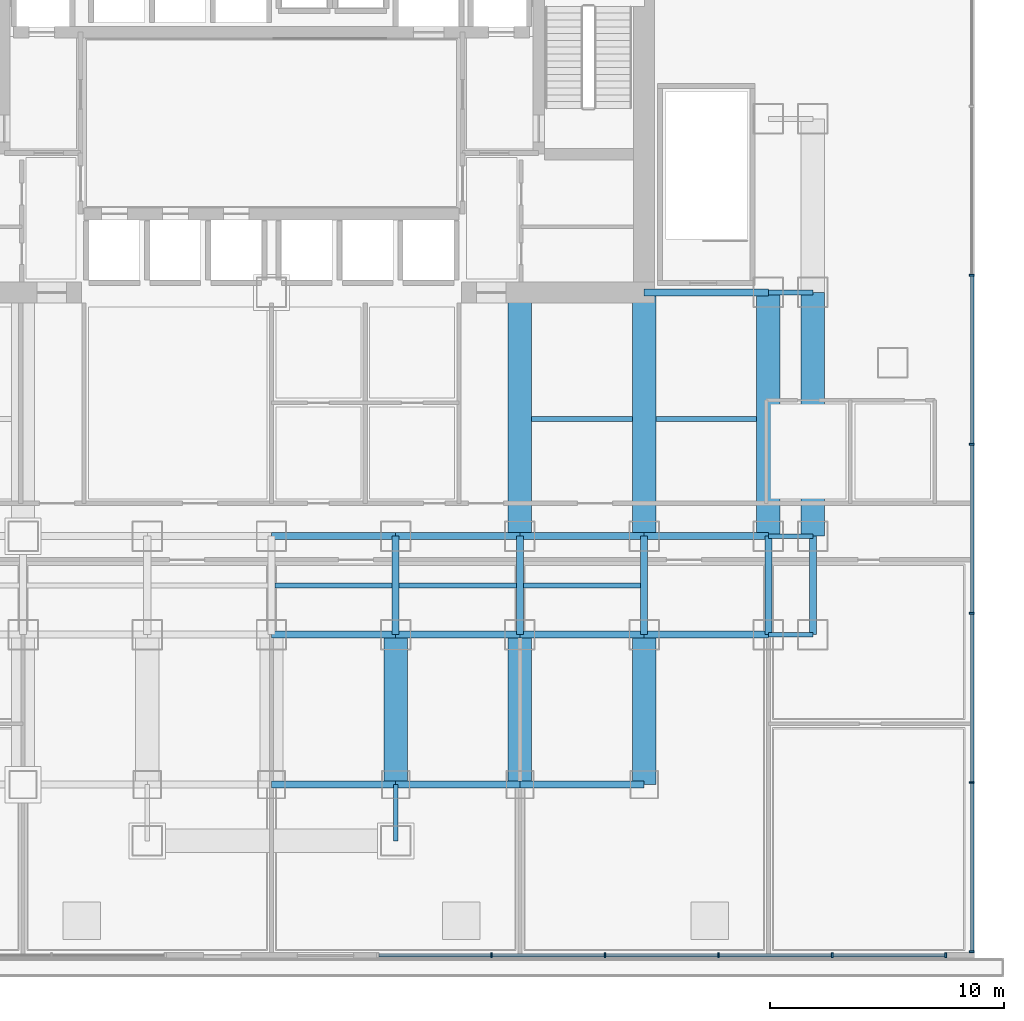
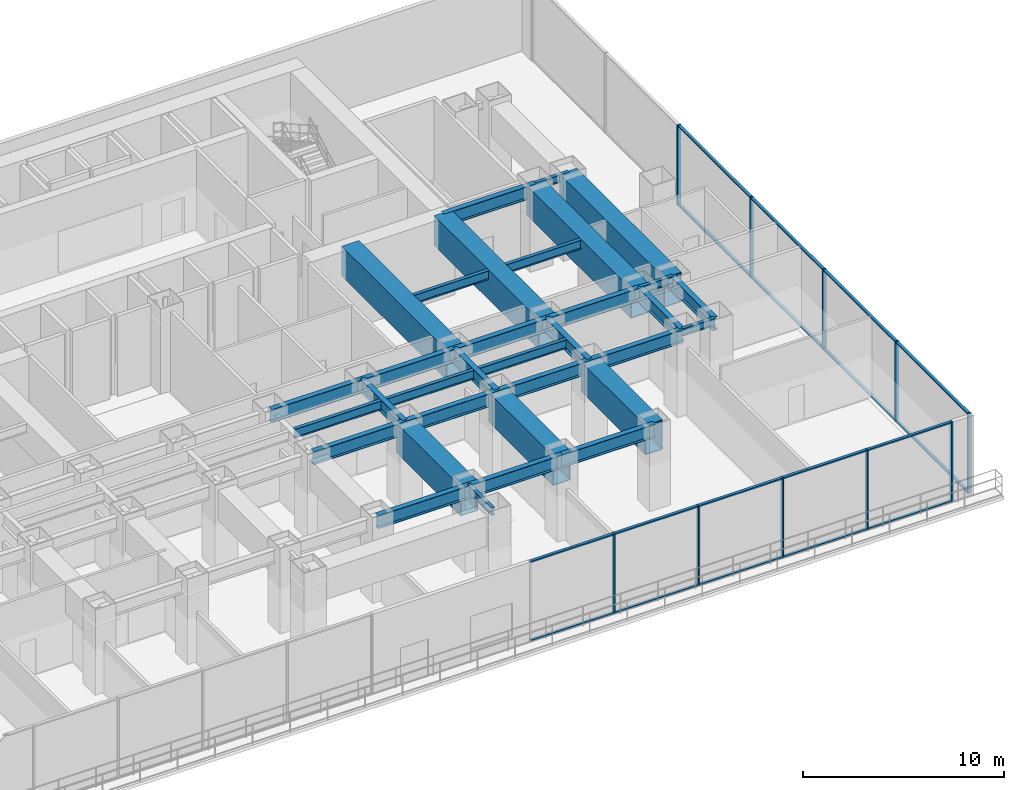
# One storey, part 4 of 12: 33 beams, 28 members, 2 elements without a shape of their own.
"""IFC4 building model written with IfcOpenShell, lengths in metres."""

from ifc_helpers import new_model, si_unit, direction, frame, origin, origin_2d, place, context, subcontext, project, spatial, rectangle, hollow_rectangle, i_section, extrude, source, transform, mapped, material, layer, layer_set, material_profile, profile_set, type_object, element, aggregate, save


model = new_model("IFC4")

# Units and contexts
model_context = context("Model", 3, precision=1e-05, world=origin(), true_north=direction((0.0, 1.0)))
body_context = subcontext(model_context, "Body", "Model", "MODEL_VIEW")
ifc_project = project(units=[si_unit("LENGTHUNIT", "METRE"), si_unit("AREAUNIT", "SQUARE_METRE"), si_unit("VOLUMEUNIT", "CUBIC_METRE"), si_unit("PLANEANGLEUNIT", "RADIAN"), si_unit("MASSUNIT", "GRAM", prefix="KILO")], contexts=[model_context])

# Site, building, storey
site_placement = place(None, origin())
site = spatial("IfcSite", under=ifc_project, at=site_placement, CompositionType="ELEMENT")
building_placement = place(site_placement, origin())
building = spatial("IfcBuilding", under=site, at=building_placement, Name="Qianlan Lanfeng Residences", CompositionType="ELEMENT")
storey_placement = place(building_placement, frame((0.0, 0.0, 19.0)))
storey = spatial("IfcBuildingStorey", under=building, at=storey_placement, Name="L04", CompositionType="ELEMENT", Elevation=19.0)

# Beams
ifc_material_1 = material(Name="Steel SN490B", Category="steel")
ifc_material_profile_1 = material_profile(ifc_material_1, i_section(OverallWidth=0.300048828125, OverallDepth=0.800048828125, WebThickness=0.01611328125, FlangeThickness=0.028076171875, at=origin_2d()), Name="H 800x300x16x28")
ifc_profile_set_1 = profile_set([ifc_material_profile_1], Name="Steel SN490B")
beam_type_1 = type_object("IfcBeamType", Name="G-950", PredefinedType="BEAM", material=ifc_profile_set_1)
for number, where, z_axis, x_axis, name in (
    (1, (26.5, 10.60009765625, 4.4599609375), (1.0, 0.0, 0.0), (0.0, 1.0, 0.0), "Structural beam G-950"),
    (2, (31.800048828125, 10.60009765625, 4.4599609375), (1.0, 0.0, 0.0), (0.0, 1.0, 0.0), "Structural beam G-950"),
):
    element("IfcBeam", number, at=place(storey_placement, frame(where, z_axis=z_axis, x_axis=x_axis)), inside=storey, type_object=beam_type_1, Name=name, PredefinedType="BEAM", context=body_context, shape_type="SweptSolid", body=[
        extrude(i_section(OverallWidth=0.300048828125, OverallDepth=0.800048828125, WebThickness=0.01611328125, FlangeThickness=0.028076171875, at=origin_2d()), origin(), (0.0, 0.0, 1.0), 5.300048828125),
    ])
beam_1_placement = place(storey_placement, frame((37.10009765625, 10.60009765625, 4.4599609375), z_axis=(1.0, 0.0, 0.0), x_axis=(0.0, 1.0, 0.0)))
element("IfcBeam", 3, at=beam_1_placement, inside=storey, type_object=beam_type_1, Name="Structural beam G-950", PredefinedType="BEAM", context=body_context, shape_type="SweptSolid", body=[
    extrude(i_section(OverallWidth=0.300048828125, OverallDepth=0.800048828125, WebThickness=0.01611328125, FlangeThickness=0.028076171875, at=origin_2d()), origin(), (0.0, 0.0, 1.0), 5.2998046875),
])
for number, where, z_axis, x_axis, name in (
    (4, (42.39990234375, 10.60009765625, 4.4599609375), (1.0, 0.0, 0.0), (0.0, 1.0, 0.0), "Structural beam G-950"),
    (5, (26.5, 14.800048828125, 4.4599609375), (1.0, 0.0, 0.0), (0.0, 1.0, 0.0), "Structural beam G-950"),
    (6, (31.800048828125, 14.800048828125, 4.4599609375), (1.0, 0.0, 0.0), (0.0, 1.0, 0.0), "Structural beam G-950"),
):
    element("IfcBeam", number, at=place(storey_placement, frame(where, z_axis=z_axis, x_axis=x_axis)), inside=storey, type_object=beam_type_1, Name=name, PredefinedType="BEAM", context=body_context, shape_type="SweptSolid", body=[
        extrude(i_section(OverallWidth=0.300048828125, OverallDepth=0.800048828125, WebThickness=0.01611328125, FlangeThickness=0.028076171875, at=origin_2d()), origin(), (0.0, 0.0, 1.0), 5.300048828125),
    ])
beam_2_placement = place(storey_placement, frame((37.10009765625, 14.800048828125, 4.4599609375), z_axis=(1.0, 0.0, 0.0), x_axis=(0.0, 1.0, 0.0)))
element("IfcBeam", 7, at=beam_2_placement, inside=storey, type_object=beam_type_1, Name="Structural beam G-950", PredefinedType="BEAM", context=body_context, shape_type="SweptSolid", body=[
    extrude(i_section(OverallWidth=0.300048828125, OverallDepth=0.800048828125, WebThickness=0.01611328125, FlangeThickness=0.028076171875, at=origin_2d()), origin(), (0.0, 0.0, 1.0), 5.2998046875),
])
for number, where, z_axis, x_axis, name in (
    (8, (42.39990234375, 14.800048828125, 4.4599609375), (1.0, 0.0, 0.0), (0.0, 1.0, 0.0), "Structural beam G-950"),
    (9, (42.39990234375, 25.199951171875, 4.4599609375), (1.0, 0.0, 0.0), (0.0, 1.0, 0.0), "Structural beam G-950"),
):
    element("IfcBeam", number, at=place(storey_placement, frame(where, z_axis=z_axis, x_axis=x_axis)), inside=storey, type_object=beam_type_1, Name=name, PredefinedType="BEAM", context=body_context, shape_type="SweptSolid", body=[
        extrude(i_section(OverallWidth=0.300048828125, OverallDepth=0.800048828125, WebThickness=0.01611328125, FlangeThickness=0.028076171875, at=origin_2d()), origin(), (0.0, 0.0, 1.0), 5.300048828125),
    ])
for number, where, z_axis, x_axis, name in (
    (10, (31.800048828125, 10.60009765625, 4.4599609375), (0.0, 1.0, 0.0), (-1.0, 0.0, 0.0), "Structural beam G-950"),
    (11, (37.10009765625, 10.60009765625, 4.4599609375), (0.0, 1.0, 0.0), (-1.0, 0.0, 0.0), "Structural beam G-950"),
    (12, (42.39990234375, 10.60009765625, 4.4599609375), (0.0, 1.0, 0.0), (-1.0, 0.0, 0.0), "Structural beam G-950"),
    (13, (47.699951171875, 10.60009765625, 4.4599609375), (0.0, 1.0, 0.0), (-1.0, 0.0, 0.0), "Structural beam G-950"),
    (14, (49.60009765625, 10.60009765625, 4.4599609375), (0.0, 1.0, 0.0), (-1.0, 0.0, 0.0), "Structural beam G-950"),
):
    element("IfcBeam", number, at=place(storey_placement, frame(where, z_axis=z_axis, x_axis=x_axis)), inside=storey, type_object=beam_type_1, Name=name, PredefinedType="BEAM", context=body_context, shape_type="SweptSolid", body=[
        extrude(i_section(OverallWidth=0.300048828125, OverallDepth=0.800048828125, WebThickness=0.01611328125, FlangeThickness=0.028076171875, at=origin_2d()), origin(), (0.0, 0.0, 1.0), 4.199951171875),
    ])
ifc_material_profile_2 = material_profile(ifc_material_1, i_section(OverallWidth=0.199951171875, OverallDepth=0.449951171875, WebThickness=0.009033203125, FlangeThickness=0.013916015625, at=origin_2d()), Name="H 450x200x9x14")
ifc_profile_set_2 = profile_set([ifc_material_profile_2], Name="Steel SN490B")
beam_type_2 = type_object("IfcBeamType", Name="J-450", PredefinedType="JOIST", material=ifc_profile_set_2)
for number, where, z_axis, x_axis, name in (
    (15, (47.699951171875, 10.60009765625, 4.635009765625), (1.0, 0.0, 0.0), (0.0, 1.0, 0.0), "Structural beam J-450"),
    (16, (47.699951171875, 14.800048828125, 4.635009765625), (1.0, 0.0, 0.0), (0.0, 1.0, 0.0), "Structural beam J-450"),
    (17, (47.699951171875, 25.199951171875, 4.635009765625), (1.0, 0.0, 0.0), (0.0, 1.0, 0.0), "Structural beam J-450"),
):
    element("IfcBeam", number, at=place(storey_placement, frame(where, z_axis=z_axis, x_axis=x_axis)), inside=storey, type_object=beam_type_2, Name=name, PredefinedType="JOIST", context=body_context, shape_type="SweptSolid", body=[
        extrude(i_section(OverallWidth=0.199951171875, OverallDepth=0.449951171875, WebThickness=0.009033203125, FlangeThickness=0.013916015625, at=origin_2d()), origin(), (0.0, 0.0, 1.0), 1.900146484375),
    ])
beam_3_placement = place(storey_placement, frame((31.800048828125, 1.800048828125, 4.635009765625), z_axis=(0.0, 1.0, 0.0), x_axis=(-1.0, 0.0, 0.0)))
element("IfcBeam", 18, at=beam_3_placement, inside=storey, type_object=beam_type_2, Name="Structural beam J-450", PredefinedType="JOIST", context=body_context, shape_type="SweptSolid", body=[
    extrude(i_section(OverallWidth=0.199951171875, OverallDepth=0.449951171875, WebThickness=0.009033203125, FlangeThickness=0.013916015625, at=origin_2d()), origin(), (0.0, 0.0, 1.0), 2.39990234375),
])
ifc_material_profile_3 = material_profile(ifc_material_1, i_section(OverallWidth=0.199951171875, OverallDepth=0.550048828125, WebThickness=0.010986328125, FlangeThickness=0.01806640625, at=origin_2d()), Name="H 550x200x11x18")
ifc_profile_set_3 = profile_set([ifc_material_profile_3], Name="Steel SN490B")
beam_type_3 = type_object("IfcBeamType", Name="J-550", PredefinedType="JOIST", material=ifc_profile_set_3)
for number, where, z_axis, x_axis, name in (
    (19, (26.64990234375, 12.699951171875, 4.5849609375), (1.0, 0.0, 0.0), (0.0, 1.0, 0.0), "Structural beam J-550"),
    (20, (31.949951171875, 12.699951171875, 4.5849609375), (1.0, 0.0, 0.0), (0.0, 1.0, 0.0), "Structural beam J-550"),
    (21, (37.25, 12.699951171875, 4.5849609375), (1.0, 0.0, 0.0), (0.0, 1.0, 0.0), "Structural beam J-550"),
):
    element("IfcBeam", number, at=place(storey_placement, frame(where, z_axis=z_axis, x_axis=x_axis)), inside=storey, type_object=beam_type_3, Name=name, PredefinedType="JOIST", context=body_context, shape_type="SweptSolid", body=[
        extrude(i_section(OverallWidth=0.199951171875, OverallDepth=0.550048828125, WebThickness=0.010986328125, FlangeThickness=0.01806640625, at=origin_2d()), origin(), (0.0, 0.0, 1.0), 5.0),
    ])
beam_4_placement = place(storey_placement, frame((37.60009765625, 19.800048828125, 4.5849609375), z_axis=(1.0, 0.0, 0.0), x_axis=(0.0, 1.0, 0.0)))
element("IfcBeam", 22, at=beam_4_placement, inside=storey, type_object=beam_type_3, Name="Structural beam J-550", PredefinedType="JOIST", context=body_context, shape_type="SweptSolid", body=[
    extrude(i_section(OverallWidth=0.199951171875, OverallDepth=0.550048828125, WebThickness=0.010986328125, FlangeThickness=0.01806640625, at=origin_2d()), origin(), (0.0, 0.0, 1.0), 4.2998046875),
])
beam_5_placement = place(storey_placement, frame((42.89990234375, 19.800048828125, 4.5849609375), z_axis=(1.0, 0.0, 0.0), x_axis=(0.0, 1.0, 0.0)))
element("IfcBeam", 23, at=beam_5_placement, inside=storey, type_object=beam_type_3, Name="Structural beam J-550", PredefinedType="JOIST", context=body_context, shape_type="SweptSolid", body=[
    extrude(i_section(OverallWidth=0.199951171875, OverallDepth=0.550048828125, WebThickness=0.010986328125, FlangeThickness=0.01806640625, at=origin_2d()), origin(), (0.0, 0.0, 1.0), 4.300048828125),
])
ifc_material_profile_4 = material_profile(ifc_material_1, i_section(OverallWidth=0.300048828125, OverallDepth=0.800048828125, WebThickness=0.01611328125, FlangeThickness=0.028076171875, at=origin_2d()), Name="H 800x300x16x28")
ifc_profile_set_4 = profile_set([ifc_material_profile_4], Name="Steel SN490B")
beam_type_4 = type_object("IfcBeamType", Name="SG-950", PredefinedType="SPANDREL", material=ifc_profile_set_4)
for number, where, z_axis, x_axis, name in (
    (24, (26.5, 4.199951171875, 4.4599609375), (1.0, 0.0, 0.0), (0.0, 1.0, 0.0), "Structural beam SG-950"),
    (25, (31.800048828125, 4.199951171875, 4.4599609375), (1.0, 0.0, 0.0), (0.0, 1.0, 0.0), "Structural beam SG-950"),
):
    element("IfcBeam", number, at=place(storey_placement, frame(where, z_axis=z_axis, x_axis=x_axis)), inside=storey, type_object=beam_type_4, Name=name, PredefinedType="SPANDREL", context=body_context, shape_type="SweptSolid", body=[
        extrude(i_section(OverallWidth=0.300048828125, OverallDepth=0.800048828125, WebThickness=0.01611328125, FlangeThickness=0.028076171875, at=origin_2d()), origin(), (0.0, 0.0, 1.0), 5.300048828125),
    ])
beam_6_placement = place(storey_placement, frame((37.10009765625, 4.199951171875, 4.4599609375), z_axis=(1.0, 0.0, 0.0), x_axis=(0.0, 1.0, 0.0)))
element("IfcBeam", 26, at=beam_6_placement, inside=storey, type_object=beam_type_4, Name="Structural beam SG-950", PredefinedType="SPANDREL", context=body_context, shape_type="SweptSolid", body=[
    extrude(i_section(OverallWidth=0.300048828125, OverallDepth=0.800048828125, WebThickness=0.01611328125, FlangeThickness=0.028076171875, at=origin_2d()), origin(), (0.0, 0.0, 1.0), 5.2998046875),
])
ifc_material_2 = material(Name="Steel SM570 (420 MPa)", Category="steel")
ifc_material_profile_5 = material_profile(ifc_material_2, hollow_rectangle(XDim=1.0, YDim=1.800048828125, WallThickness=0.0400390625, at=origin_2d()), Name="BOX 1800x1000x40")
ifc_profile_set_5 = profile_set([ifc_material_profile_5], Name="Steel SM570 (420 MPa)")
beam_type_5 = type_object("IfcBeamType", Name="TG-2000", PredefinedType="BEAM", material=ifc_profile_set_5)
for number, where, z_axis, x_axis, name in (
    (27, (31.800048828125, 4.199951171875, 3.9599609375), (0.0, 1.0, 0.0), (-1.0, 0.0, 0.0), "Structural beam TG-2000"),
    (28, (37.10009765625, 4.199951171875, 3.9599609375), (0.0, 1.0, 0.0), (-1.0, 0.0, 0.0), "Structural beam TG-2000"),
):
    element("IfcBeam", number, at=place(storey_placement, frame(where, z_axis=z_axis, x_axis=x_axis)), inside=storey, type_object=beam_type_5, Name=name, PredefinedType="BEAM", context=body_context, shape_type="SweptSolid", body=[
        extrude(hollow_rectangle(XDim=1.0, YDim=1.800048828125, WallThickness=0.0400390625, at=origin_2d()), origin(), (0.0, 0.0, 1.0), 6.400146484375),
    ])
beam_7_placement = place(storey_placement, frame((37.10009765625, 14.800048828125, 3.9599609375), z_axis=(0.0, 1.0, 0.0), x_axis=(-1.0, 0.0, 0.0)))
element("IfcBeam", 29, at=beam_7_placement, inside=storey, type_object=beam_type_5, Name="Structural beam TG-2000", PredefinedType="BEAM", context=body_context, shape_type="SweptSolid", body=[
    extrude(hollow_rectangle(XDim=1.0, YDim=1.800048828125, WallThickness=0.0400390625, at=origin_2d()), origin(), (0.0, 0.0, 1.0), 10.39990234375),
])
beam_8_placement = place(storey_placement, frame((42.39990234375, 4.199951171875, 3.9599609375), z_axis=(0.0, 1.0, 0.0), x_axis=(-1.0, 0.0, 0.0)))
element("IfcBeam", 30, at=beam_8_placement, inside=storey, type_object=beam_type_5, Name="Structural beam TG-2000", PredefinedType="BEAM", context=body_context, shape_type="SweptSolid", body=[
    extrude(hollow_rectangle(XDim=1.0, YDim=1.800048828125, WallThickness=0.0400390625, at=origin_2d()), origin(), (0.0, 0.0, 1.0), 6.400146484375),
])
for number, where, z_axis, x_axis, name in (
    (31, (42.39990234375, 14.800048828125, 3.9599609375), (0.0, 1.0, 0.0), (-1.0, 0.0, 0.0), "Structural beam TG-2000"),
    (32, (47.699951171875, 14.800048828125, 3.9599609375), (0.0, 1.0, 0.0), (-1.0, 0.0, 0.0), "Structural beam TG-2000"),
    (33, (49.60009765625, 14.800048828125, 3.9599609375), (0.0, 1.0, 0.0), (-1.0, 0.0, 0.0), "Structural beam TG-2000"),
):
    element("IfcBeam", number, at=place(storey_placement, frame(where, z_axis=z_axis, x_axis=x_axis)), inside=storey, type_object=beam_type_5, Name=name, PredefinedType="BEAM", context=body_context, shape_type="SweptSolid", body=[
        extrude(hollow_rectangle(XDim=1.0, YDim=1.800048828125, WallThickness=0.0400390625, at=origin_2d()), origin(), (0.0, 0.0, 1.0), 10.39990234375),
    ])

# Curtain wall, members
ifc_material_3 = material(Name="Anodised Bronze Aluminium 6063-T6", Category="aluminium")
ifc_layer = layer(ifc_material_3, 0.219970703125)
ifc_layer_set = layer_set([ifc_layer], Name="Anodised Bronze Aluminium 6063-T6")
curtain_wall_type = type_object("IfcCurtainWallType", Name="CW-01", PredefinedType="NOTDEFINED", material=ifc_layer_set)
curtain_wall_1_placement = place(storey_placement, origin())
curtain_wall_1 = element("IfcCurtainWall", 34, at=curtain_wall_1_placement, inside=storey, type_object=curtain_wall_type, Name="L04 Unitised Curtain Wall CWR-L04-SE (CW-01)", PredefinedType="NOTDEFINED")
ifc_material_profile_6 = material_profile(ifc_material_3, rectangle(XDim=0.080078125, YDim=0.2099609375, at=origin_2d()), Name="ALU MULLION 80x210")
ifc_profile_set_6 = profile_set([ifc_material_profile_6], Name="Anodised Bronze Aluminium 6063-T6")
member_type_1 = type_object("IfcMemberType", Name="CWM-220", PredefinedType="MULLION", material=ifc_profile_set_6)
shared_shape_1 = source(origin(), body_context, "Body", "SweptSolid", [
    extrude(rectangle(XDim=0.080078125, YDim=0.2099609375, at=origin_2d()), origin(), (0.0, 0.0, 1.0), 4.860107421875),
])
member_1_placement = place(storey_placement, frame((35.884033203125, -3.080078125, 0.0), z_axis=(0.0, 0.0, 1.0), x_axis=(1.0, 0.0, 0.0)))
member_1 = element("IfcMember", 35, at=member_1_placement, type_object=member_type_1, Name="CWR-L04-SE Mullion 2", PredefinedType="MULLION", context=body_context, shape_type="MappedRepresentation", body=[
    mapped(shared_shape_1, transform((0.0, 0.0, 0.0), scale=1.0)),
])
member_2_placement = place(storey_placement, frame((40.72802734375, -3.080078125, 0.0), z_axis=(0.0, 0.0, 1.0), x_axis=(1.0, 0.0, 0.0)))
member_2 = element("IfcMember", 36, at=member_2_placement, type_object=member_type_1, Name="CWR-L04-SE Mullion 3", PredefinedType="MULLION", context=body_context, shape_type="MappedRepresentation", body=[
    mapped(shared_shape_1, transform((0.0, 0.0, 0.0), scale=1.0)),
])
member_3_placement = place(storey_placement, frame((45.572021484375, -3.080078125, 0.0), z_axis=(0.0, 0.0, 1.0), x_axis=(1.0, 0.0, 0.0)))
member_3 = element("IfcMember", 37, at=member_3_placement, type_object=member_type_1, Name="CWR-L04-SE Mullion 4", PredefinedType="MULLION", context=body_context, shape_type="MappedRepresentation", body=[
    mapped(shared_shape_1, transform((0.0, 0.0, 0.0), scale=1.0)),
])
member_4_placement = place(storey_placement, frame((50.416015625, -3.080078125, 0.0), z_axis=(0.0, 0.0, 1.0), x_axis=(1.0, 0.0, 0.0)))
member_4 = element("IfcMember", 38, at=member_4_placement, type_object=member_type_1, Name="CWR-L04-SE Mullion 5", PredefinedType="MULLION", context=body_context, shape_type="MappedRepresentation", body=[
    mapped(shared_shape_1, transform((0.0, 0.0, 0.0), scale=1.0)),
])
member_5_placement = place(storey_placement, frame((55.260009765625, -3.080078125, 0.0), z_axis=(0.0, 0.0, 1.0), x_axis=(1.0, 0.0, 0.0)))
member_5 = element("IfcMember", 39, at=member_5_placement, type_object=member_type_1, Name="CWR-L04-SE Mullion 6", PredefinedType="MULLION", context=body_context, shape_type="MappedRepresentation", body=[
    mapped(shared_shape_1, transform((0.0, 0.0, 0.0), scale=1.0)),
])

curtain_wall_2_placement = place(storey_placement, origin())
curtain_wall_2 = element("IfcCurtainWall", 40, at=curtain_wall_2_placement, inside=storey, type_object=curtain_wall_type, Name="L04 Unitised Curtain Wall CWR-L04-E (CW-01)", PredefinedType="NOTDEFINED")
member_6_placement = place(storey_placement, frame((56.3798828125, -2.919921875, 0.0), z_axis=(0.0, 0.0, 1.0), x_axis=(0.0, 1.0, 0.0)))
member_6 = element("IfcMember", 41, at=member_6_placement, type_object=member_type_1, Name="CWR-L04-E Mullion 1", PredefinedType="MULLION", context=body_context, shape_type="MappedRepresentation", body=[
    mapped(shared_shape_1, transform((0.0, 0.0, 0.0), scale=1.0)),
])
member_7_placement = place(storey_placement, frame((56.3798828125, 4.293212890625, 0.0), z_axis=(0.0, 0.0, 1.0), x_axis=(0.0, 1.0, 0.0)))
member_7 = element("IfcMember", 42, at=member_7_placement, type_object=member_type_1, Name="CWR-L04-E Mullion 2", PredefinedType="MULLION", context=body_context, shape_type="MappedRepresentation", body=[
    mapped(shared_shape_1, transform((0.0, 0.0, 0.0), scale=1.0)),
])
member_8_placement = place(storey_placement, frame((56.3798828125, 11.506591796875, 0.0), z_axis=(0.0, 0.0, 1.0), x_axis=(0.0, 1.0, 0.0)))
member_8 = element("IfcMember", 43, at=member_8_placement, type_object=member_type_1, Name="CWR-L04-E Mullion 3", PredefinedType="MULLION", context=body_context, shape_type="MappedRepresentation", body=[
    mapped(shared_shape_1, transform((0.0, 0.0, 0.0), scale=1.0)),
])
member_9_placement = place(storey_placement, frame((56.3798828125, 18.719970703125, 0.0), z_axis=(0.0, 0.0, 1.0), x_axis=(0.0, 1.0, 0.0)))
member_9 = element("IfcMember", 44, at=member_9_placement, type_object=member_type_1, Name="CWR-L04-E Mullion 4", PredefinedType="MULLION", context=body_context, shape_type="MappedRepresentation", body=[
    mapped(shared_shape_1, transform((0.0, 0.0, 0.0), scale=1.0)),
])
member_10_placement = place(storey_placement, frame((56.3798828125, 25.933349609375, 0.0), z_axis=(0.0, 0.0, 1.0), x_axis=(0.0, 1.0, 0.0)))
member_10 = element("IfcMember", 45, at=member_10_placement, type_object=member_type_1, Name="CWR-L04-E Mullion 5", PredefinedType="MULLION", context=body_context, shape_type="MappedRepresentation", body=[
    mapped(shared_shape_1, transform((0.0, 0.0, 0.0), scale=1.0)),
])

# Member
ifc_material_profile_7 = material_profile(ifc_material_3, rectangle(XDim=0.080078125, YDim=0.159912109375, at=origin_2d()), Name="ALU TRANSOM 80x160")
ifc_profile_set_7 = profile_set([ifc_material_profile_7], Name="Anodised Bronze Aluminium 6063-T6")
member_type_2 = type_object("IfcMemberType", Name="CWT-180", PredefinedType="USERDEFINED", material=ifc_profile_set_7)
shared_shape_2 = source(origin(), body_context, "Body", "SweptSolid", [
    extrude(rectangle(XDim=0.080078125, YDim=0.159912109375, at=origin_2d()), origin(), (0.0, 0.0, 1.0), 4.763916015625),
])
member_11_placement = place(storey_placement, frame((31.080078125, -3.080078125, 0.0400390625), z_axis=(1.0, 0.0, 0.0), x_axis=(0.0, 0.0, 1.0)))
member_11 = element("IfcMember", 46, at=member_11_placement, type_object=member_type_2, Name="CWR-L04-SE Transom 1-BOT", ObjectType="TRANSOM", PredefinedType="USERDEFINED", context=body_context, shape_type="MappedRepresentation", body=[
    mapped(shared_shape_2, transform((0.0, 0.0, 0.0), scale=1.0)),
])

member_12_placement = place(storey_placement, frame((31.080078125, -3.080078125, 4.820068359375), z_axis=(1.0, 0.0, 0.0), x_axis=(0.0, 0.0, 1.0)))
member_12 = element("IfcMember", 47, at=member_12_placement, type_object=member_type_2, Name="CWR-L04-SE Transom 1-TOP", ObjectType="TRANSOM", PredefinedType="USERDEFINED", context=body_context, shape_type="MappedRepresentation", body=[
    mapped(shared_shape_2, transform((0.0, 0.0, 0.0), scale=1.0)),
])

member_13_placement = place(storey_placement, frame((35.924072265625, -3.080078125, 0.0400390625), z_axis=(1.0, 0.0, 0.0), x_axis=(0.0, 0.0, 1.0)))
member_13 = element("IfcMember", 48, at=member_13_placement, type_object=member_type_2, Name="CWR-L04-SE Transom 2-BOT", ObjectType="TRANSOM", PredefinedType="USERDEFINED", context=body_context, shape_type="MappedRepresentation", body=[
    mapped(shared_shape_2, transform((0.0, 0.0, 0.0), scale=1.0)),
])

member_14_placement = place(storey_placement, frame((35.924072265625, -3.080078125, 4.820068359375), z_axis=(1.0, 0.0, 0.0), x_axis=(0.0, 0.0, 1.0)))
member_14 = element("IfcMember", 49, at=member_14_placement, type_object=member_type_2, Name="CWR-L04-SE Transom 2-TOP", ObjectType="TRANSOM", PredefinedType="USERDEFINED", context=body_context, shape_type="MappedRepresentation", body=[
    mapped(shared_shape_2, transform((0.0, 0.0, 0.0), scale=1.0)),
])

member_15_placement = place(storey_placement, frame((40.76806640625, -3.080078125, 0.0400390625), z_axis=(1.0, 0.0, 0.0), x_axis=(0.0, 0.0, 1.0)))
member_15 = element("IfcMember", 50, at=member_15_placement, type_object=member_type_2, Name="CWR-L04-SE Transom 3-BOT", ObjectType="TRANSOM", PredefinedType="USERDEFINED", context=body_context, shape_type="MappedRepresentation", body=[
    mapped(shared_shape_2, transform((0.0, 0.0, 0.0), scale=1.0)),
])

member_16_placement = place(storey_placement, frame((40.76806640625, -3.080078125, 4.820068359375), z_axis=(1.0, 0.0, 0.0), x_axis=(0.0, 0.0, 1.0)))
member_16 = element("IfcMember", 51, at=member_16_placement, type_object=member_type_2, Name="CWR-L04-SE Transom 3-TOP", ObjectType="TRANSOM", PredefinedType="USERDEFINED", context=body_context, shape_type="MappedRepresentation", body=[
    mapped(shared_shape_2, transform((0.0, 0.0, 0.0), scale=1.0)),
])

member_17_placement = place(storey_placement, frame((45.612060546875, -3.080078125, 0.0400390625), z_axis=(1.0, 0.0, 0.0), x_axis=(0.0, 0.0, 1.0)))
member_17 = element("IfcMember", 52, at=member_17_placement, type_object=member_type_2, Name="CWR-L04-SE Transom 4-BOT", ObjectType="TRANSOM", PredefinedType="USERDEFINED", context=body_context, shape_type="MappedRepresentation", body=[
    mapped(shared_shape_2, transform((0.0, 0.0, 0.0), scale=1.0)),
])

member_18_placement = place(storey_placement, frame((45.612060546875, -3.080078125, 4.820068359375), z_axis=(1.0, 0.0, 0.0), x_axis=(0.0, 0.0, 1.0)))
member_18 = element("IfcMember", 53, at=member_18_placement, type_object=member_type_2, Name="CWR-L04-SE Transom 4-TOP", ObjectType="TRANSOM", PredefinedType="USERDEFINED", context=body_context, shape_type="MappedRepresentation", body=[
    mapped(shared_shape_2, transform((0.0, 0.0, 0.0), scale=1.0)),
])

member_19_placement = place(storey_placement, frame((50.4560546875, -3.080078125, 0.0400390625), z_axis=(1.0, 0.0, 0.0), x_axis=(0.0, 0.0, 1.0)))
member_19 = element("IfcMember", 54, at=member_19_placement, type_object=member_type_2, Name="CWR-L04-SE Transom 5-BOT", ObjectType="TRANSOM", PredefinedType="USERDEFINED", context=body_context, shape_type="MappedRepresentation", body=[
    mapped(shared_shape_2, transform((0.0, 0.0, 0.0), scale=1.0)),
])

member_20_placement = place(storey_placement, frame((50.4560546875, -3.080078125, 4.820068359375), z_axis=(1.0, 0.0, 0.0), x_axis=(0.0, 0.0, 1.0)))
member_20 = element("IfcMember", 55, at=member_20_placement, type_object=member_type_2, Name="CWR-L04-SE Transom 5-TOP", ObjectType="TRANSOM", PredefinedType="USERDEFINED", context=body_context, shape_type="MappedRepresentation", body=[
    mapped(shared_shape_2, transform((0.0, 0.0, 0.0), scale=1.0)),
])

aggregate(curtain_wall_1, [member_1, member_2, member_3, member_4, member_5, member_11, member_12, member_13, member_14, member_15, member_16, member_17, member_18, member_19, member_20])

shared_shape_3 = source(origin(), body_context, "Body", "SweptSolid", [
    extrude(rectangle(XDim=0.080078125, YDim=0.159912109375, at=origin_2d()), origin(), (0.0, 0.0, 1.0), 7.13330078125),
])
member_21_placement = place(storey_placement, frame((56.3798828125, -2.8798828125, 0.0400390625), z_axis=(0.0, 1.0, 0.0), x_axis=(0.0, 0.0, 1.0)))
member_21 = element("IfcMember", 56, at=member_21_placement, type_object=member_type_2, Name="CWR-L04-E Transom 1-BOT", ObjectType="TRANSOM", PredefinedType="USERDEFINED", context=body_context, shape_type="MappedRepresentation", body=[
    mapped(shared_shape_3, transform((0.0, 0.0, 0.0), scale=1.0)),
])

member_22_placement = place(storey_placement, frame((56.3798828125, -2.8798828125, 4.820068359375), z_axis=(0.0, 1.0, 0.0), x_axis=(0.0, 0.0, 1.0)))
member_22 = element("IfcMember", 57, at=member_22_placement, type_object=member_type_2, Name="CWR-L04-E Transom 1-TOP", ObjectType="TRANSOM", PredefinedType="USERDEFINED", context=body_context, shape_type="MappedRepresentation", body=[
    mapped(shared_shape_3, transform((0.0, 0.0, 0.0), scale=1.0)),
])

member_23_placement = place(storey_placement, frame((56.3798828125, 11.546630859375, 0.0400390625), z_axis=(0.0, 1.0, 0.0), x_axis=(0.0, 0.0, 1.0)))
member_23 = element("IfcMember", 58, at=member_23_placement, type_object=member_type_2, Name="CWR-L04-E Transom 3-BOT", ObjectType="TRANSOM", PredefinedType="USERDEFINED", context=body_context, shape_type="MappedRepresentation", body=[
    mapped(shared_shape_3, transform((0.0, 0.0, 0.0), scale=1.0)),
])

member_24_placement = place(storey_placement, frame((56.3798828125, 11.546630859375, 4.820068359375), z_axis=(0.0, 1.0, 0.0), x_axis=(0.0, 0.0, 1.0)))
member_24 = element("IfcMember", 59, at=member_24_placement, type_object=member_type_2, Name="CWR-L04-E Transom 3-TOP", ObjectType="TRANSOM", PredefinedType="USERDEFINED", context=body_context, shape_type="MappedRepresentation", body=[
    mapped(shared_shape_3, transform((0.0, 0.0, 0.0), scale=1.0)),
])

member_25_placement = place(storey_placement, frame((56.3798828125, 18.760009765625, 0.0400390625), z_axis=(0.0, 1.0, 0.0), x_axis=(0.0, 0.0, 1.0)))
member_25 = element("IfcMember", 60, at=member_25_placement, type_object=member_type_2, Name="CWR-L04-E Transom 4-BOT", ObjectType="TRANSOM", PredefinedType="USERDEFINED", context=body_context, shape_type="MappedRepresentation", body=[
    mapped(shared_shape_3, transform((0.0, 0.0, 0.0), scale=1.0)),
])

member_26_placement = place(storey_placement, frame((56.3798828125, 18.760009765625, 4.820068359375), z_axis=(0.0, 1.0, 0.0), x_axis=(0.0, 0.0, 1.0)))
member_26 = element("IfcMember", 61, at=member_26_placement, type_object=member_type_2, Name="CWR-L04-E Transom 4-TOP", ObjectType="TRANSOM", PredefinedType="USERDEFINED", context=body_context, shape_type="MappedRepresentation", body=[
    mapped(shared_shape_3, transform((0.0, 0.0, 0.0), scale=1.0)),
])

shared_shape_4 = source(origin(), body_context, "Body", "SweptSolid", [
    extrude(rectangle(XDim=0.080078125, YDim=0.159912109375, at=origin_2d()), origin(), (0.0, 0.0, 1.0), 7.133544921875),
])
member_27_placement = place(storey_placement, frame((56.3798828125, 4.333251953125, 0.0400390625), z_axis=(0.0, 1.0, 0.0), x_axis=(0.0, 0.0, 1.0)))
member_27 = element("IfcMember", 62, at=member_27_placement, type_object=member_type_2, Name="CWR-L04-E Transom 2-BOT", ObjectType="TRANSOM", PredefinedType="USERDEFINED", context=body_context, shape_type="MappedRepresentation", body=[
    mapped(shared_shape_4, transform((0.0, 0.0, 0.0), scale=1.0)),
])

member_28_placement = place(storey_placement, frame((56.3798828125, 4.333251953125, 4.820068359375), z_axis=(0.0, 1.0, 0.0), x_axis=(0.0, 0.0, 1.0)))
member_28 = element("IfcMember", 63, at=member_28_placement, type_object=member_type_2, Name="CWR-L04-E Transom 2-TOP", ObjectType="TRANSOM", PredefinedType="USERDEFINED", context=body_context, shape_type="MappedRepresentation", body=[
    mapped(shared_shape_4, transform((0.0, 0.0, 0.0), scale=1.0)),
])

aggregate(curtain_wall_2, [member_6, member_7, member_8, member_9, member_10, member_21, member_22, member_27, member_28, member_23, member_24, member_25, member_26])

save(model, "model.ifc")
